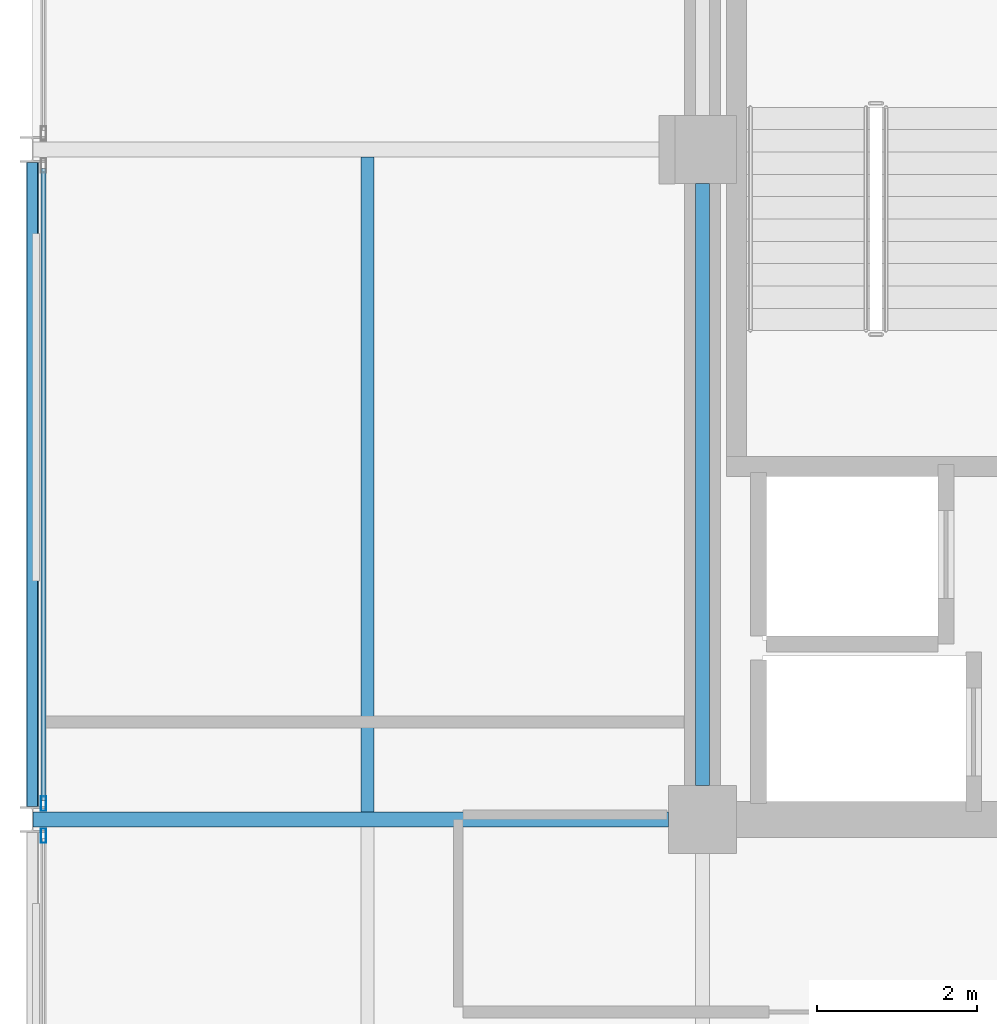
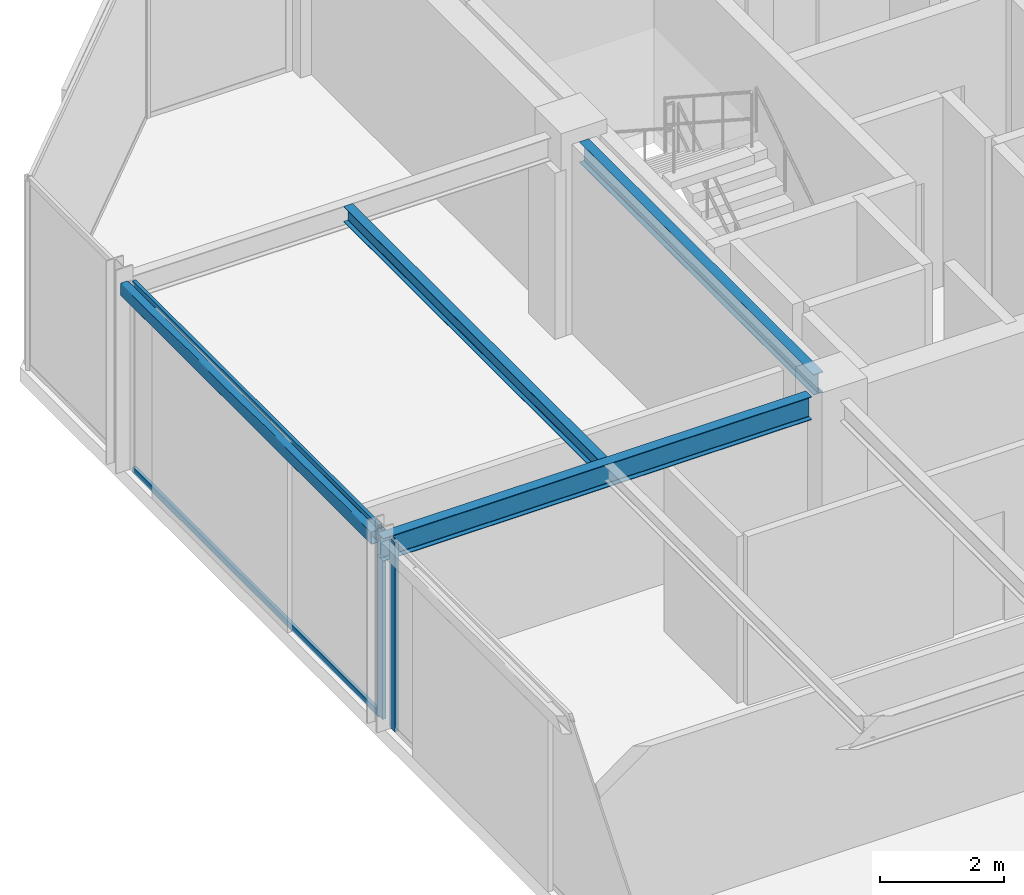
# One storey, part 11 of 24: 4 beams, 4 members, 2 elements without a shape of their own.
"""IFC4 building model written with IfcOpenShell, lengths in metres."""

from ifc_helpers import new_model, si_unit, direction, frame, origin, origin_2d, place, context, subcontext, project, spatial, hollow_rectangle, i_section, extrude, material, layer, layer_set, material_profile, profile_set, type_object, element, aggregate, save


model = new_model("IFC4")

# Units and contexts
model_context = context("Model", 3, precision=1e-05, world=origin(), true_north=direction((0.0, 1.0)))
body_context = subcontext(model_context, "Body", "Model", "MODEL_VIEW")
ifc_project = project(units=[si_unit("LENGTHUNIT", "METRE"), si_unit("AREAUNIT", "SQUARE_METRE"), si_unit("VOLUMEUNIT", "CUBIC_METRE"), si_unit("PLANEANGLEUNIT", "RADIAN"), si_unit("MASSUNIT", "GRAM", prefix="KILO")], contexts=[model_context])

# Site, building, storey
site_placement = place(None, origin())
site = spatial("IfcSite", under=ifc_project, at=site_placement, CompositionType="ELEMENT")
building_placement = place(site_placement, origin())
building = spatial("IfcBuilding", under=site, at=building_placement, Name="Nerrivon Quay Data Exchange", CompositionType="ELEMENT")
storey_placement = place(building_placement, frame((0.0, 0.0, 294.199951171875)))
storey = spatial("IfcBuildingStorey", under=building, at=storey_placement, Name="L70", CompositionType="ELEMENT", Elevation=294.199951171875)

# Beams
ifc_material_1 = material(Name="Steel Grade 350", Category="steel")
ifc_material_profile_1 = material_profile(ifc_material_1, i_section(OverallWidth=0.18994140625, OverallDepth=0.4541015625, WebThickness=0.008544921875, FlangeThickness=0.0126953125, FilletRadius=0.011474609375, at=origin_2d()), Name="460UB67.1")
ifc_profile_set_1 = profile_set([ifc_material_profile_1], Name="Steel Grade 350")
beam_type_1 = type_object("IfcBeamType", Name="BM-G6-460UB67", PredefinedType="BEAM", material=ifc_profile_set_1)
beam_1_placement = place(storey_placement, frame((0.0078125, 25.199951171875, 3.498046875), z_axis=(1.0, 0.0, 0.0), x_axis=(0.0, 1.0, 0.0)))
element("IfcBeam", 1, at=beam_1_placement, inside=storey, type_object=beam_type_1, Name="L70 EW Girder Y=25.2 (0.0..8.4)", PredefinedType="BEAM", context=body_context, shape_type="SweptSolid", body=[
    extrude(i_section(OverallWidth=0.18994140625, OverallDepth=0.4541015625, WebThickness=0.008544921875, FlangeThickness=0.0126953125, FilletRadius=0.011474609375, at=origin_2d()), origin(), (0.0, 0.0, 1.0), 7.96728515625),
])
ifc_material_profile_2 = material_profile(ifc_material_1, i_section(OverallWidth=0.177978515625, OverallDepth=0.406005859375, WebThickness=0.0078125, FlangeThickness=0.0126953125, FilletRadius=0.011474609375, at=origin_2d()), Name="410UB59.7")
ifc_profile_set_2 = profile_set([ifc_material_profile_2], Name="Steel Grade 350")
beam_type_2 = type_object("IfcBeamType", Name="BM-J1-410UB60", PredefinedType="JOIST", material=ifc_profile_set_2)
beam_2_placement = place(storey_placement, frame((8.39990234375, 25.625, 3.52197265625), z_axis=(0.0, 1.0, 0.0), x_axis=(-1.0, 0.0, 0.0)))
element("IfcBeam", 2, at=beam_2_placement, inside=storey, type_object=beam_type_2, Name="L70 NS Girder X=8.4 (25.2..33.6)", PredefinedType="JOIST", context=body_context, shape_type="SweptSolid", body=[
    extrude(i_section(OverallWidth=0.177978515625, OverallDepth=0.406005859375, WebThickness=0.0078125, FlangeThickness=0.0126953125, FilletRadius=0.011474609375, at=origin_2d()), origin(), (0.0, 0.0, 1.0), 7.550048828125),
])
ifc_material_profile_3 = material_profile(ifc_material_1, i_section(OverallWidth=0.1650390625, OverallDepth=0.303955078125, WebThickness=0.006103515625, FlangeThickness=0.01025390625, FilletRadius=0.011474609375, at=origin_2d()), Name="310UB40.4")
ifc_profile_set_3 = profile_set([ifc_material_profile_3], Name="Steel Grade 350")
beam_type_3 = type_object("IfcBeamType", Name="BM-J6-310UB40", PredefinedType="JOIST", material=ifc_profile_set_3)
beam_3_placement = place(storey_placement, frame((4.199951171875, 25.294921875, 3.572998046875), z_axis=(0.0, 1.0, 0.0), x_axis=(-1.0, 0.0, 0.0)))
element("IfcBeam", 3, at=beam_3_placement, inside=storey, type_object=beam_type_3, Name="L70 Secondary Joist X=4.2 (25.2..33.6)", PredefinedType="JOIST", context=body_context, shape_type="SweptSolid", body=[
    extrude(i_section(OverallWidth=0.1650390625, OverallDepth=0.303955078125, WebThickness=0.006103515625, FlangeThickness=0.01025390625, FilletRadius=0.011474609375, at=origin_2d()), origin(), (0.0, 0.0, 1.0), 8.2099609375),
])
ifc_material_2 = material(Name="Steel Grade C350L0 (350 MPa)", Category="steel")
ifc_material_profile_4 = material_profile(ifc_material_2, hollow_rectangle(XDim=0.14990234375, YDim=0.25, WallThickness=0.009033203125, InnerFilletRadius=0.013427734375, OuterFilletRadius=0.0224609375, at=origin_2d()), Name="250x150x9.0RHS")
ifc_profile_set_4 = profile_set([ifc_material_profile_4], Name="Steel Grade C350L0 (350 MPa)")
beam_type_4 = type_object("IfcBeamType", Name="BM-SP4-250x150RHS", PredefinedType="SPANDREL", material=ifc_profile_set_4)
beam_4_placement = place(storey_placement, frame((0.0, 25.363525390625, 3.60009765625), z_axis=(0.0, 1.0, 0.0), x_axis=(-1.0, 0.0, 0.0)))
element("IfcBeam", 4, at=beam_4_placement, inside=storey, type_object=beam_type_4, Name="L70 NS Girder X=0.0 (25.2..33.6)", PredefinedType="SPANDREL", context=body_context, shape_type="SweptSolid", body=[
    extrude(hollow_rectangle(XDim=0.14990234375, YDim=0.25, WallThickness=0.009033203125, InnerFilletRadius=0.013427734375, OuterFilletRadius=0.0224609375, at=origin_2d()), origin(), (0.0, 0.0, 1.0), 8.072998046875),
])

# Curtain wall, member
ifc_material_3 = material(Name="Anodised aluminium 6063-T6", Category="aluminium")
ifc_layer = layer(ifc_material_3, 0.195068359375)
ifc_layer_set = layer_set([ifc_layer], Name="Anodised aluminium 6063-T6")
curtain_wall_type = type_object("IfcCurtainWallType", Name="CW-SYS-06", PredefinedType="NOTDEFINED", material=ifc_layer_set)
curtain_wall_1_placement = place(storey_placement, origin())
curtain_wall_1 = element("IfcCurtainWall", 5, at=curtain_wall_1_placement, inside=storey, type_object=curtain_wall_type, Name="L70 Unitised Curtain Wall 10", PredefinedType="NOTDEFINED")
ifc_material_profile_5 = material_profile(ifc_material_3, hollow_rectangle(XDim=0.06494140625, YDim=0.179931640625, WallThickness=0.00341796875, at=origin_2d()), Name="ALU-MULL-180x65")
ifc_profile_set_5 = profile_set([ifc_material_profile_5], Name="Anodised aluminium 6063-T6")
member_type_1 = type_object("IfcMemberType", Name="CWM-180x65", PredefinedType="MULLION", material=ifc_profile_set_5)
member_1_placement = place(storey_placement, frame((0.139892578125, 24.9990234375, 0.0), z_axis=(0.0, 0.0, 1.0), x_axis=(-1.0, 0.0, 0.0)))
member_1 = element("IfcMember", 6, at=member_1_placement, type_object=member_type_1, Name="CW06 mullion 2", PredefinedType="MULLION", context=body_context, shape_type="SweptSolid", body=[
    extrude(hollow_rectangle(XDim=0.06494140625, YDim=0.179931640625, WallThickness=0.00341796875, at=origin_2d()), origin(), (0.0, 0.0, 1.0), 3.72509765625),
])
aggregate(curtain_wall_1, [member_1])

# Curtain wall, members
curtain_wall_2_placement = place(storey_placement, origin())
curtain_wall_2 = element("IfcCurtainWall", 7, at=curtain_wall_2_placement, inside=storey, type_object=curtain_wall_type, Name="L70 Unitised Curtain Wall 11", PredefinedType="NOTDEFINED")
member_2_placement = place(storey_placement, frame((0.139892578125, 25.40087890625, 0.0), z_axis=(0.0, 0.0, 1.0), x_axis=(-1.0, 0.0, 0.0)))
member_2 = element("IfcMember", 8, at=member_2_placement, type_object=member_type_1, Name="CW06 mullion 1", PredefinedType="MULLION", context=body_context, shape_type="SweptSolid", body=[
    extrude(hollow_rectangle(XDim=0.06494140625, YDim=0.179931640625, WallThickness=0.00341796875, at=origin_2d()), origin(), (0.0, 0.0, 1.0), 3.72509765625),
])
ifc_material_profile_6 = material_profile(ifc_material_3, hollow_rectangle(XDim=0.06005859375, YDim=0.1201171875, WallThickness=0.003173828125, at=origin_2d()), Name="ALU-TRAN-120x60")
ifc_profile_set_6 = profile_set([ifc_material_profile_6], Name="Anodised aluminium 6063-T6")
member_type_2 = type_object("IfcMemberType", Name="CWT-120x60", PredefinedType="USERDEFINED", material=ifc_profile_set_6)
member_3_placement = place(storey_placement, frame((0.139892578125, 25.4384765625, 0.032470703125), z_axis=(0.0, 1.0, 0.0), x_axis=(-1.0, 0.0, 0.0)))
member_3 = element("IfcMember", 9, at=member_3_placement, type_object=member_type_2, Name="CW06 transom 1.1", ObjectType="TRANSOM", PredefinedType="USERDEFINED", context=body_context, shape_type="SweptSolid", body=[
    extrude(hollow_rectangle(XDim=0.06005859375, YDim=0.1201171875, WallThickness=0.003173828125, at=origin_2d()), origin(), (0.0, 0.0, 1.0), 7.923095703125),
])
member_4_placement = place(storey_placement, frame((0.139892578125, 25.4384765625, 3.692626953125), z_axis=(0.0, 1.0, 0.0), x_axis=(-1.0, 0.0, 0.0)))
member_4 = element("IfcMember", 10, at=member_4_placement, type_object=member_type_2, Name="CW06 transom 1.2", ObjectType="TRANSOM", PredefinedType="USERDEFINED", context=body_context, shape_type="SweptSolid", body=[
    extrude(hollow_rectangle(XDim=0.06005859375, YDim=0.1201171875, WallThickness=0.003173828125, at=origin_2d()), origin(), (0.0, 0.0, 1.0), 7.923095703125),
])
aggregate(curtain_wall_2, [member_2, member_3, member_4])

save(model, "model.ifc")
